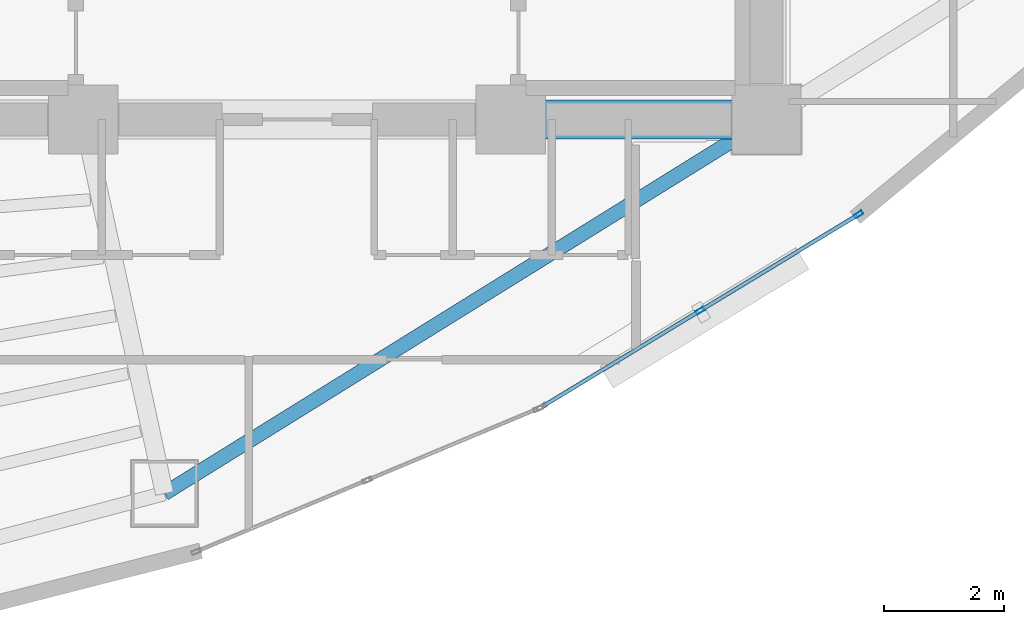
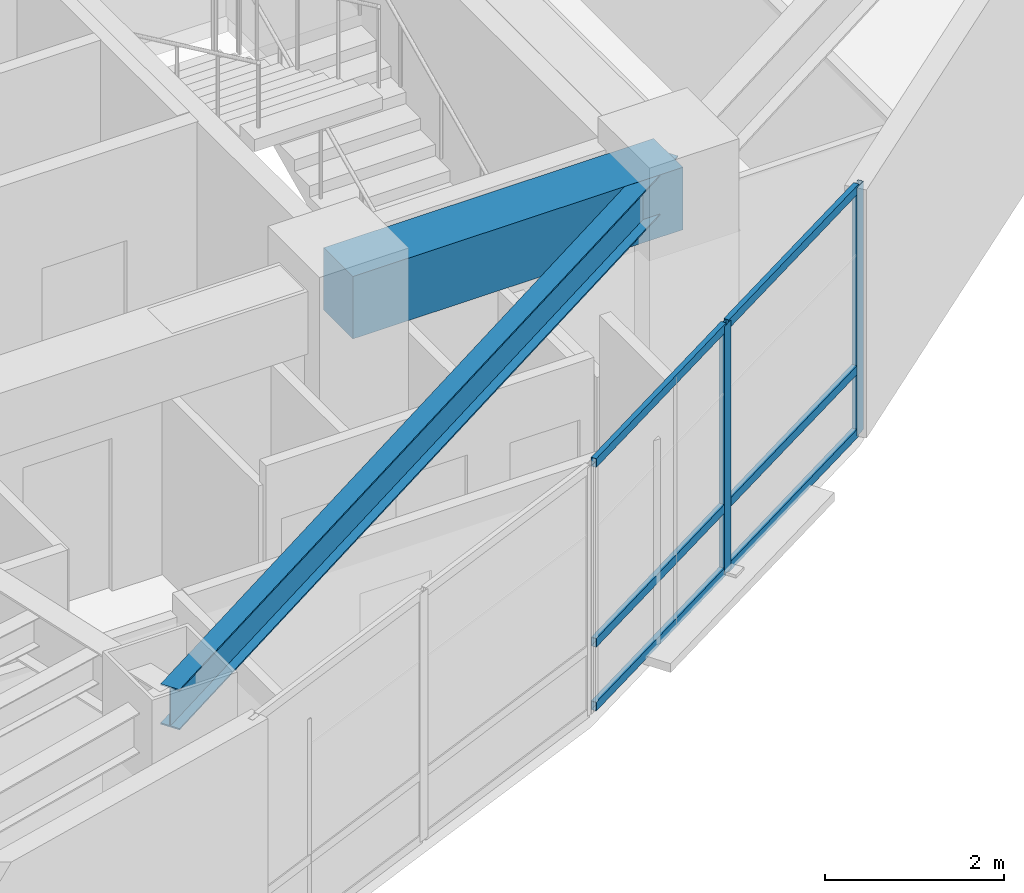
# One storey, part 5 of 15: 8 members, 2 beams, 1 element without a shape of its own.
"""IFC4 building model written with IfcOpenShell, lengths in metres."""

from ifc_helpers import new_model, si_unit, direction, frame, origin, origin_2d, place, context, subcontext, project, spatial, rectangle, hollow_rectangle, i_section, extrude, material, layer, layer_set, material_profile, profile_set, type_object, element, aggregate, save


model = new_model("IFC4")

# Units and contexts
model_context = context("Model", 3, precision=1e-05, world=origin(), true_north=direction((0.0, 1.0)))
body_context = subcontext(model_context, "Body", "Model", "MODEL_VIEW")
ifc_project = project(units=[si_unit("LENGTHUNIT", "METRE"), si_unit("AREAUNIT", "SQUARE_METRE"), si_unit("VOLUMEUNIT", "CUBIC_METRE"), si_unit("PLANEANGLEUNIT", "RADIAN"), si_unit("MASSUNIT", "GRAM", prefix="KILO")], contexts=[model_context])

# Site, building, storey
site_placement = place(None, origin())
site = spatial("IfcSite", under=ifc_project, at=site_placement, CompositionType="ELEMENT")
building_placement = place(site_placement, origin())
building = spatial("IfcBuilding", under=site, at=building_placement, Name="Menara Vayukalpa", CompositionType="ELEMENT")
storey_placement = place(building_placement, frame((0.0, 0.0, 144.89990234375)))
storey = spatial("IfcBuildingStorey", under=building, at=storey_placement, Name="L36", CompositionType="ELEMENT", Elevation=144.89990234375)

# Beams
ifc_material_1 = material(Name="Concrete C60/75", Category="concrete")
ifc_material_profile_1 = material_profile(ifc_material_1, rectangle(XDim=0.64990234375, YDim=0.85009765625, at=origin_2d()), Name="RC 650x850")
ifc_profile_set_1 = profile_set([ifc_material_profile_1], Name="Concrete C60/75")
beam_type_1 = type_object("IfcBeamType", Name="BM-CB1", PredefinedType="BEAM", material=ifc_profile_set_1)
beam_1_placement = place(storey_placement, frame((29.14990234375, 17.199951171875, 2.955078125), z_axis=(1.0, 0.0, 0.0), x_axis=(0.0, 1.0, 0.0)))
element("IfcBeam", 1, at=beam_1_placement, inside=storey, type_object=beam_type_1, Name="L36 Core Tie Beam CBR3", PredefinedType="BEAM", context=body_context, shape_type="SweptSolid", body=[
    extrude(rectangle(XDim=0.64990234375, YDim=0.85009765625, at=origin_2d()), origin(), (0.0, 0.0, 1.0), 4.25),
])
ifc_material_2 = material(Name="Steel S355", Category="steel")
ifc_material_profile_2 = material_profile(ifc_material_2, i_section(OverallWidth=0.239990234375, OverallDepth=0.550048828125, WebThickness=0.010986328125, FlangeThickness=0.01904296875, at=origin_2d()), Name="WF 550x240x11x19")
ifc_profile_set_2 = profile_set([ifc_material_profile_2], Name="Steel S355")
beam_type_2 = type_object("IfcBeamType", Name="BM-SP2", PredefinedType="SPANDREL", material=ifc_profile_set_2)
beam_2_placement = place(storey_placement, frame((23.39697265625, 10.988037109375, 3.10498046875), z_axis=(0.849518408464, 0.527558976495, 0.0), x_axis=(-0.527558976495, 0.849518408464, 0.0)))
element("IfcBeam", 2, at=beam_2_placement, inside=storey, type_object=beam_type_2, Name="L36 Perimeter Spandrel Beam SP08", PredefinedType="SPANDREL", context=body_context, shape_type="SweptSolid", body=[
    extrude(i_section(OverallWidth=0.239990234375, OverallDepth=0.550048828125, WebThickness=0.010986328125, FlangeThickness=0.01904296875, at=origin_2d()), origin(), (0.0, 0.0, 1.0), 11.77490234375),
])

# Curtain wall, members
ifc_material_3 = material(Name="Anodised Terracotta Aluminium Alloy 6063-T6", Category="masonry")
ifc_layer = layer(ifc_material_3, 0.14990234375)
ifc_layer_set = layer_set([ifc_layer], Name="Anodised Terracotta Aluminium Alloy 6063-T6")
curtain_wall_type = type_object("IfcCurtainWallType", Name="CW-CW3", PredefinedType="USERDEFINED", material=ifc_layer_set)
curtain_wall_placement = place(storey_placement, origin())
curtain_wall = element("IfcCurtainWall", 3, at=curtain_wall_placement, inside=storey, type_object=curtain_wall_type, Name="L36 Mid Rise Terracotta Ribbon Curtain Wall CW3 17", ObjectType="UNITISED", PredefinedType="USERDEFINED")
ifc_material_4 = material(Name="Anodised Terracotta Aluminium Alloy 6063-T6", Category="masonry")
ifc_material_profile_3 = material_profile(ifc_material_4, hollow_rectangle(XDim=0.06494140625, YDim=0.14990234375, WallThickness=0.00341796875, at=origin_2d()), Name="ALU 65x150x3.5")
ifc_profile_set_3 = profile_set([ifc_material_profile_3], Name="Anodised Terracotta Aluminium Alloy 6063-T6")
member_type_1 = type_object("IfcMemberType", Name="CWM-CW3", PredefinedType="MULLION", material=ifc_profile_set_3)
member_1_placement = place(storey_placement, frame((32.295654296875, 14.0244140625, 0.0), z_axis=(0.0, 0.0, 1.0), x_axis=(-0.519195768176, 0.854655342409, 0.0)))
member_1 = element("IfcMember", 4, at=member_1_placement, type_object=member_type_1, Name="CW3 mullion 2", PredefinedType="MULLION", context=body_context, shape_type="SweptSolid", body=[
    extrude(hollow_rectangle(XDim=0.06494140625, YDim=0.14990234375, WallThickness=0.00341796875, at=origin_2d()), origin(), (0.0, 0.0, 1.0), 3.380126953125),
])
member_2_placement = place(storey_placement, frame((34.927001953125, 15.622802734375, 0.0), z_axis=(0.0, 0.0, 1.0), x_axis=(-0.519195768176, 0.854655342409, 0.0)))
member_2 = element("IfcMember", 5, at=member_2_placement, type_object=member_type_1, Name="CW3 mullion 3", PredefinedType="MULLION", context=body_context, shape_type="SweptSolid", body=[
    extrude(hollow_rectangle(XDim=0.06494140625, YDim=0.14990234375, WallThickness=0.00341796875, at=origin_2d()), origin(), (0.0, 0.0, 1.0), 3.380126953125),
])
ifc_material_5 = material(Name="Anodised Terracotta Aluminium Alloy 6063-T6", Category="masonry")
ifc_material_profile_4 = material_profile(ifc_material_5, hollow_rectangle(XDim=0.06494140625, YDim=0.1201171875, WallThickness=0.00341796875, at=origin_2d()), Name="ALU 65x120x3.5")
ifc_profile_set_4 = profile_set([ifc_material_profile_4], Name="Anodised Terracotta Aluminium Alloy 6063-T6")
member_type_2 = type_object("IfcMemberType", Name="CWT-CW3", PredefinedType="USERDEFINED", material=ifc_profile_set_4)
member_3_placement = place(storey_placement, frame((29.692138671875, 12.442626953125, 0.03271484375), z_axis=(0.854642464994, 0.519216965275, 0.0), x_axis=(-0.519216965275, 0.854642464994, 0.0)))
member_3 = element("IfcMember", 6, at=member_3_placement, type_object=member_type_2, Name="CW3 transom 1.1", ObjectType="TRANSOM", PredefinedType="USERDEFINED", context=body_context, shape_type="SweptSolid", body=[
    extrude(hollow_rectangle(XDim=0.06494140625, YDim=0.1201171875, WallThickness=0.00341796875, at=origin_2d()), origin(), (0.0, 0.0, 1.0), 3.01416015625),
])
member_4_placement = place(storey_placement, frame((29.692138671875, 12.442626953125, 0.900146484375), z_axis=(0.854642464994, 0.519216965275, 0.0), x_axis=(-0.519216965275, 0.854642464994, 0.0)))
member_4 = element("IfcMember", 7, at=member_4_placement, type_object=member_type_2, Name="CW3 transom 1.2", ObjectType="TRANSOM", PredefinedType="USERDEFINED", context=body_context, shape_type="SweptSolid", body=[
    extrude(hollow_rectangle(XDim=0.06494140625, YDim=0.1201171875, WallThickness=0.00341796875, at=origin_2d()), origin(), (0.0, 0.0, 1.0), 3.01416015625),
])
member_5_placement = place(storey_placement, frame((29.692138671875, 12.442626953125, 3.34765625), z_axis=(0.854642464994, 0.519216965275, 0.0), x_axis=(-0.519216965275, 0.854642464994, 0.0)))
member_5 = element("IfcMember", 8, at=member_5_placement, type_object=member_type_2, Name="CW3 transom 1.3", ObjectType="TRANSOM", PredefinedType="USERDEFINED", context=body_context, shape_type="SweptSolid", body=[
    extrude(hollow_rectangle(XDim=0.06494140625, YDim=0.1201171875, WallThickness=0.00341796875, at=origin_2d()), origin(), (0.0, 0.0, 1.0), 3.01416015625),
])
member_6_placement = place(storey_placement, frame((32.323486328125, 14.041259765625, 0.03271484375), z_axis=(0.854656573285, 0.519193742008, 0.0), x_axis=(-0.519193742008, 0.854656573285, 0.0)))
member_6 = element("IfcMember", 9, at=member_6_placement, type_object=member_type_2, Name="CW3 transom 2.1", ObjectType="TRANSOM", PredefinedType="USERDEFINED", context=body_context, shape_type="SweptSolid", body=[
    extrude(hollow_rectangle(XDim=0.06494140625, YDim=0.1201171875, WallThickness=0.00341796875, at=origin_2d()), origin(), (0.0, 0.0, 1.0), 3.013671875),
])
member_7_placement = place(storey_placement, frame((32.323486328125, 14.041259765625, 0.900146484375), z_axis=(0.854656573285, 0.519193742008, 0.0), x_axis=(-0.519193742008, 0.854656573285, 0.0)))
member_7 = element("IfcMember", 10, at=member_7_placement, type_object=member_type_2, Name="CW3 transom 2.2", ObjectType="TRANSOM", PredefinedType="USERDEFINED", context=body_context, shape_type="SweptSolid", body=[
    extrude(hollow_rectangle(XDim=0.06494140625, YDim=0.1201171875, WallThickness=0.00341796875, at=origin_2d()), origin(), (0.0, 0.0, 1.0), 3.013671875),
])
member_8_placement = place(storey_placement, frame((32.323486328125, 14.041259765625, 3.34765625), z_axis=(0.854656573285, 0.519193742008, 0.0), x_axis=(-0.519193742008, 0.854656573285, 0.0)))
member_8 = element("IfcMember", 11, at=member_8_placement, type_object=member_type_2, Name="CW3 transom 2.3", ObjectType="TRANSOM", PredefinedType="USERDEFINED", context=body_context, shape_type="SweptSolid", body=[
    extrude(hollow_rectangle(XDim=0.06494140625, YDim=0.1201171875, WallThickness=0.00341796875, at=origin_2d()), origin(), (0.0, 0.0, 1.0), 3.013671875),
])
aggregate(curtain_wall, [member_1, member_2, member_3, member_4, member_5, member_6, member_7, member_8])

save(model, "model.ifc")
